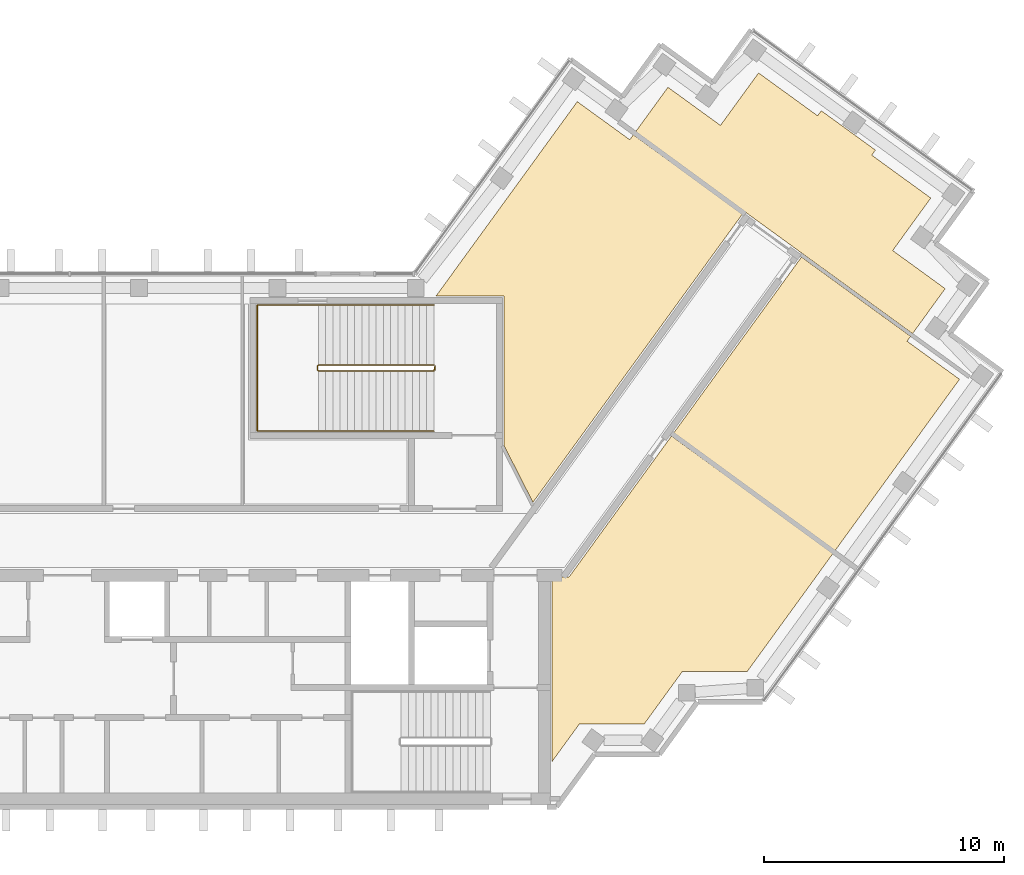
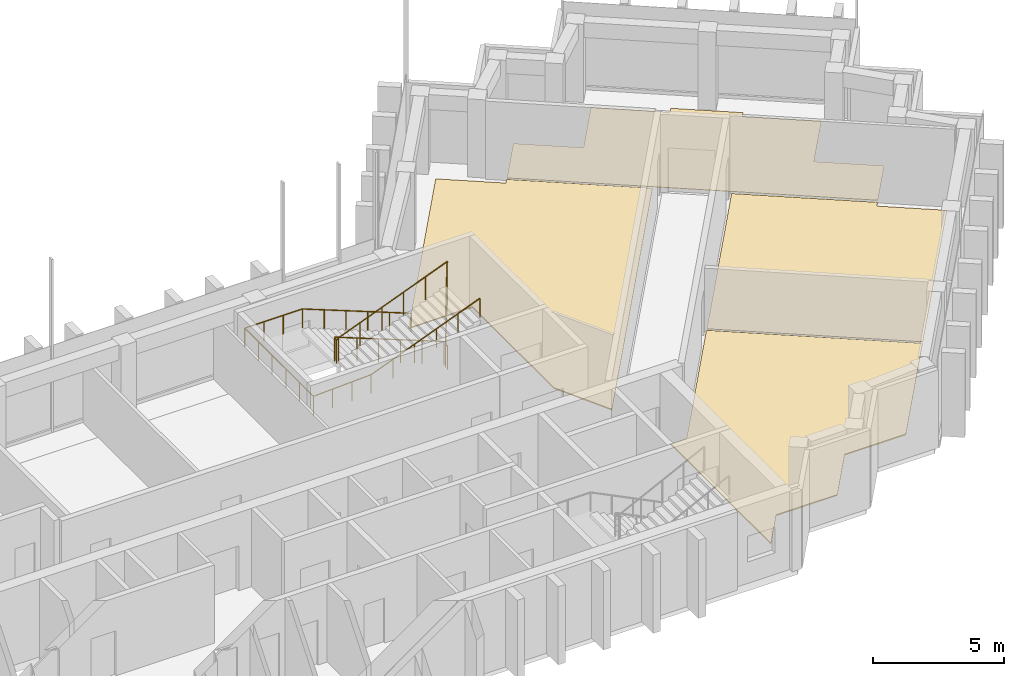
# One storey, part 14 of 14: 4 coverings, 2 railings.
"""IFC4 building model written with IfcOpenShell, lengths in metres."""

from ifc_helpers import new_model, si_unit, direction, frame, origin, origin_2d, place, context, subcontext, project, spatial, polyline, circle, outline, extrude, material, layer, layer_set, type_object, element, save


model = new_model("IFC4")

# Units and contexts
model_context = context("Model", 3, precision=1e-05, world=origin(), true_north=direction((0.0, 1.0)))
body_context = subcontext(model_context, "Body", "Model", "MODEL_VIEW")
ifc_project = project(units=[si_unit("LENGTHUNIT", "METRE"), si_unit("AREAUNIT", "SQUARE_METRE"), si_unit("VOLUMEUNIT", "CUBIC_METRE"), si_unit("PLANEANGLEUNIT", "RADIAN"), si_unit("MASSUNIT", "GRAM", prefix="KILO")], contexts=[model_context])

# Site, building, storey
site_placement = place(None, origin())
site = spatial("IfcSite", under=ifc_project, at=site_placement, CompositionType="ELEMENT")
building_placement = place(site_placement, origin())
building = spatial("IfcBuilding", under=site, at=building_placement, Name="Quipu Civic Tower", CompositionType="ELEMENT")
storey_placement = place(building_placement, frame((0.0, 0.0, 335.0)))
storey = spatial("IfcBuildingStorey", under=building, at=storey_placement, Name="L78", CompositionType="ELEMENT", Elevation=335.0)

# Coverings
ifc_material_1 = material(Name="Carpet tile on raised access floor")
ifc_layer_1 = layer(ifc_material_1, 0.02001953125)
ifc_layer_set_1 = layer_set([ifc_layer_1], Name="Carpet tile on raised access floor")
covering_type_1 = type_object("IfcCoveringType", Name="Carpet tile floor finish 20", PredefinedType="FLOORING", material=ifc_layer_set_1)
covering_1_placement = place(storey_placement, origin())
element("IfcCovering", 1, at=covering_1_placement, inside=storey, type_object=covering_type_1, Name="Carpet tile floor finish 20", PredefinedType="FLOORING", context=body_context, shape_type="SweptSolid", body=[
    extrude(outline(polyline([(23.531005859375, 16.989013671875), (24.888916015625, 18.85791015625), (27.073974609375, 17.27197265625), (28.658935546875, 19.455078125), (31.116943359375, 17.6708984375), (31.27099609375, 17.8798828125), (33.52197265625, 16.2451171875), (33.3701171875, 16.032958984375), (35.826904296875, 14.248046875), (34.240966796875, 12.06396484375), (36.425048828125, 10.47705078125), (35.068115234375, 8.60791015625), (23.531005859375, 16.989013671875)])), origin(), (0.0, 0.0, 1.0), 0.02001953125),
])
covering_2_placement = place(storey_placement, origin())
element("IfcCovering", 2, at=covering_2_placement, inside=storey, type_object=covering_type_1, Name="Carpet tile floor finish 20", PredefinedType="FLOORING", context=body_context, shape_type="SweptSolid", body=[
    extrude(outline(polyline([(25.117919921875, 4.4580078125), (30.446044921875, 11.7919921875), (34.985107421875, 8.493896484375), (34.839111328125, 8.291015625), (37.02197265625, 6.7060546875), (31.841064453125, -0.426025390625), (25.117919921875, 4.4580078125)])), origin(), (0.0, 0.0, 1.0), 0.02001953125),
])
ifc_material_2 = material(Name="Sealed cement screed")
ifc_layer_2 = layer(ifc_material_2, 0.050048828125)
ifc_layer_set_2 = layer_set([ifc_layer_2], Name="Sealed cement screed")
covering_type_2 = type_object("IfcCoveringType", Name="Sealed screed floor finish 50", PredefinedType="FLOORING", material=ifc_layer_set_2)
covering_3_placement = place(storey_placement, origin())
element("IfcCovering", 3, at=covering_3_placement, inside=storey, type_object=covering_type_2, Name="Sealed screed floor finish 50", PredefinedType="FLOORING", context=body_context, shape_type="SweptSolid", body=[
    extrude(outline(polyline([(15.238037109375, 10.169921875), (21.115966796875, 18.260986328125), (23.299072265625, 16.676025390625), (23.447998046875, 16.876953125), (27.987060546875, 13.5791015625), (19.27197265625, 1.583984375), (18.070068359375, 3.94189453125), (18.070068359375, 10.1689453125), (15.238037109375, 10.169921875)])), origin(), (0.0, 0.0, 1.0), 0.050048828125),
])
covering_4_placement = place(storey_placement, origin())
element("IfcCovering", 4, at=covering_4_placement, inside=storey, type_object=covering_type_2, Name="Sealed screed floor finish 50", PredefinedType="FLOORING", context=body_context, shape_type="SweptSolid", body=[
    extrude(outline(polyline([(20.070068359375, -9.195068359375), (20.070068359375, -1.52001953125), (20.77490234375, -1.51904296875), (25.034912109375, 4.344970703125), (31.758056640625, -0.5390625), (28.181884765625, -5.4609375), (25.48193359375, -5.4619140625), (23.89501953125, -7.64599609375), (21.196044921875, -7.64599609375), (20.070068359375, -9.195068359375)])), origin(), (0.0, 0.0, 1.0), 0.050048828125),
])

# Railings
ifc_material_3 = material(Name="Stainless steel", Category="steel")
railing_type_1 = type_object("IfcRailingType", Name="Stair guard 1100", PredefinedType="GUARDRAIL", material=ifc_material_3)
railing_1_placement = place(storey_placement, frame((15.14990234375, 7.300048828125, 0.11767578125)))
element("IfcRailing", 5, at=railing_1_placement, inside=storey, type_object=railing_type_1, Name="Stair 4 guard", PredefinedType="GUARDRAIL", context=body_context, shape_type="SweptSolid", body=[
    extrude(circle(Radius=0.02392578125, at=origin_2d()), frame((0.0, 0.0, 1.076171875), z_axis=(-0.930970042603, 0.0, 0.365095576219), x_axis=(0.0, -1.0, 0.0)), (0.0, 0.0, 1.0), 5.15576171875),
    extrude(circle(Radius=0.02392578125, at=origin_2d()), frame((-4.7998046875, 0.0, 2.95849609375), z_axis=(-0.707106781187, -0.707106781187, 0.0), x_axis=(0.707106781187, -0.707106781187, 0.0)), (0.0, 0.0, 1.0), 0.07080078125),
    extrude(circle(Radius=0.02392578125, at=origin_2d()), frame((-4.849853515625, -0.050048828125, 2.95849609375), z_axis=(0.0, -1.0, 0.0), x_axis=(1.0, 0.0, 0.0)), (0.0, 0.0, 1.0), 0.14990234375),
    extrude(circle(Radius=0.02392578125, at=origin_2d()), frame((-4.849853515625, -0.199951171875, 2.95849609375), z_axis=(0.364463019033, -0.364463019033, 0.856932561824), x_axis=(0.707106781187, 0.707106781187, 0.0)), (0.0, 0.0, 1.0), 0.13720703125),
    extrude(circle(Radius=0.02392578125, at=origin_2d()), frame((-4.7998046875, -0.25, 3.076171875), z_axis=(0.930970042603, 0.0, 0.365095576219), x_axis=(0.0, 1.0, 0.0)), (0.0, 0.0, 1.0), 5.15576171875),
    extrude(circle(Radius=0.02392578125, at=origin_2d()), frame((0.0, -0.25, 4.95849609375), z_axis=(0.012495627992, 0.049921557685, -0.998674970829), x_axis=(-0.970072785993, 0.242814311512, 0.0)), (0.0, 0.0, 1.0), 4.00537109375),
    extrude(circle(Radius=0.02392578125, at=origin_2d()), frame((0.050048828125, -0.050048828125, 0.95849609375), z_axis=(0.0, -1.0, 0.0), x_axis=(1.0, 0.0, 0.0)), (0.0, 0.0, 1.0), 0.14990234375),
    extrude(circle(Radius=0.02099609375, at=origin_2d()), origin(), (0.0, 0.0, 1.0), 1.052001953125),
    extrude(circle(Radius=0.02099609375, at=origin_2d()), frame((-0.9599609375, 0.0, 0.37646484375)), (0.0, 0.0, 1.0), 1.052001953125),
    extrude(circle(Radius=0.02099609375, at=origin_2d()), frame((-1.919921875, 0.0, 0.7529296875)), (0.0, 0.0, 1.0), 1.052001953125),
    extrude(circle(Radius=0.02099609375, at=origin_2d()), frame((-2.8798828125, 0.0, 1.12939453125)), (0.0, 0.0, 1.0), 1.052001953125),
    extrude(circle(Radius=0.02099609375, at=origin_2d()), frame((-3.83984375, 0.0, 1.505859375)), (0.0, 0.0, 1.0), 1.052001953125),
    extrude(circle(Radius=0.02099609375, at=origin_2d()), frame((-4.7998046875, 0.0, 1.88232421875)), (0.0, 0.0, 1.0), 1.052001953125),
    extrude(circle(Radius=0.02099609375, at=origin_2d()), frame((-4.849853515625, -0.050048828125, 1.88232421875)), (0.0, 0.0, 1.0), 1.052001953125),
    extrude(circle(Radius=0.02099609375, at=origin_2d()), frame((-4.849853515625, -0.199951171875, 1.88232421875)), (0.0, 0.0, 1.0), 1.052001953125),
    extrude(circle(Radius=0.02099609375, at=origin_2d()), frame((-4.7998046875, -0.25, 2.0)), (0.0, 0.0, 1.0), 1.052001953125),
    extrude(circle(Radius=0.02099609375, at=origin_2d()), frame((-3.83984375, -0.25, 2.37646484375)), (0.0, 0.0, 1.0), 1.052001953125),
    extrude(circle(Radius=0.02099609375, at=origin_2d()), frame((-2.8798828125, -0.25, 2.7529296875)), (0.0, 0.0, 1.0), 1.052001953125),
    extrude(circle(Radius=0.02099609375, at=origin_2d()), frame((-1.919921875, -0.25, 3.12939453125)), (0.0, 0.0, 1.0), 1.052001953125),
    extrude(circle(Radius=0.02099609375, at=origin_2d()), frame((-0.9599609375, -0.25, 3.505859375)), (0.0, 0.0, 1.0), 1.052001953125),
    extrude(circle(Radius=0.02099609375, at=origin_2d()), frame((0.0, -0.25, 3.88232421875)), (0.0, 0.0, 1.0), 1.052001953125),
    extrude(circle(Radius=0.02099609375, at=origin_2d()), frame((0.012451171875, -0.199951171875, 2.88232421875)), (0.0, 0.0, 1.0), 1.052001953125),
    extrude(circle(Radius=0.02099609375, at=origin_2d()), frame((0.02490234375, -0.14990234375, 1.88232421875)), (0.0, 0.0, 1.0), 1.052001953125),
    extrude(circle(Radius=0.02099609375, at=origin_2d()), frame((0.03759765625, -0.10009765625, 0.88232421875)), (0.0, 0.0, 1.0), 1.052001953125),
    extrude(circle(Radius=0.02099609375, at=origin_2d()), frame((0.050048828125, -0.050048828125, -0.11767578125)), (0.0, 0.0, 1.0), 1.052001953125),
    extrude(circle(Radius=0.02099609375, at=origin_2d()), frame((0.050048828125, -0.199951171875, -0.11767578125)), (0.0, 0.0, 1.0), 1.052001953125),
])
ifc_material_4 = material(Name="Stainless steel", Category="steel")
railing_type_2 = type_object("IfcRailingType", Name="Stair handrail", PredefinedType="HANDRAIL", material=ifc_material_4)
railing_2_placement = place(storey_placement, frame((15.14990234375, 9.800048828125, 0.11767578125)))
element("IfcRailing", 6, at=railing_2_placement, inside=storey, type_object=railing_type_2, Name="Stair 4 handrail", PredefinedType="HANDRAIL", context=body_context, shape_type="SweptSolid", body=[
    extrude(circle(Radius=0.02392578125, at=origin_2d()), frame((0.0, 0.0, 0.8759765625), z_axis=(-0.930970042603, 0.0, 0.365095576219), x_axis=(0.0, -1.0, 0.0)), (0.0, 0.0, 1.0), 5.15576171875),
    extrude(circle(Radius=0.02392578125, at=origin_2d()), frame((-4.7998046875, 0.0, 2.75830078125), z_axis=(-1.0, 0.0, 0.0), x_axis=(0.0, -1.0, 0.0)), (0.0, 0.0, 1.0), 2.550048828125),
    extrude(circle(Radius=0.02392578125, at=origin_2d()), frame((-7.349853515625, 0.0, 2.75830078125), z_axis=(0.0, -1.0, 0.0), x_axis=(1.0, 0.0, 0.0)), (0.0, 0.0, 1.0), 5.25),
    extrude(circle(Radius=0.02392578125, at=origin_2d()), frame((-7.349853515625, -5.25, 2.75830078125), z_axis=(0.998936948642, 0.0, 0.04609742549), x_axis=(0.0, 1.0, 0.0)), (0.0, 0.0, 1.0), 2.552734375),
    extrude(circle(Radius=0.02392578125, at=origin_2d()), frame((-4.7998046875, -5.25, 2.8759765625), z_axis=(0.930970042603, 0.0, 0.365095576219), x_axis=(0.0, 1.0, 0.0)), (0.0, 0.0, 1.0), 5.15576171875),
    extrude(circle(Radius=0.02099609375, at=origin_2d()), origin(), (0.0, 0.0, 1.0), 0.851806640625),
    extrude(circle(Radius=0.02099609375, at=origin_2d()), frame((-0.9599609375, 0.0, 0.37646484375)), (0.0, 0.0, 1.0), 0.851806640625),
    extrude(circle(Radius=0.02099609375, at=origin_2d()), frame((-1.919921875, 0.0, 0.7529296875)), (0.0, 0.0, 1.0), 0.851806640625),
    extrude(circle(Radius=0.02099609375, at=origin_2d()), frame((-2.8798828125, 0.0, 1.12939453125)), (0.0, 0.0, 1.0), 0.851806640625),
    extrude(circle(Radius=0.02099609375, at=origin_2d()), frame((-3.83984375, 0.0, 1.505859375)), (0.0, 0.0, 1.0), 0.851806640625),
    extrude(circle(Radius=0.02099609375, at=origin_2d()), frame((-4.7998046875, 0.0, 1.88232421875)), (0.0, 0.0, 1.0), 0.851806640625),
    extrude(circle(Radius=0.02099609375, at=origin_2d()), frame((-5.64990234375, 0.0, 1.88232421875)), (0.0, 0.0, 1.0), 0.851806640625),
    extrude(circle(Radius=0.02099609375, at=origin_2d()), frame((-6.499755859375, 0.0, 1.88232421875)), (0.0, 0.0, 1.0), 0.851806640625),
    extrude(circle(Radius=0.02099609375, at=origin_2d()), frame((-7.349853515625, 0.0, 1.88232421875)), (0.0, 0.0, 1.0), 0.851806640625),
    extrude(circle(Radius=0.02099609375, at=origin_2d()), frame((-7.349853515625, -1.050048828125, 1.88232421875)), (0.0, 0.0, 1.0), 0.851806640625),
    extrude(circle(Radius=0.02099609375, at=origin_2d()), frame((-7.349853515625, -2.10009765625, 1.88232421875)), (0.0, 0.0, 1.0), 0.851806640625),
    extrude(circle(Radius=0.02099609375, at=origin_2d()), frame((-7.349853515625, -3.14990234375, 1.88232421875)), (0.0, 0.0, 1.0), 0.851806640625),
    extrude(circle(Radius=0.02099609375, at=origin_2d()), frame((-7.349853515625, -4.199951171875, 1.88232421875)), (0.0, 0.0, 1.0), 0.851806640625),
    extrude(circle(Radius=0.02099609375, at=origin_2d()), frame((-7.349853515625, -5.25, 1.88232421875)), (0.0, 0.0, 1.0), 0.851806640625),
    extrude(circle(Radius=0.02099609375, at=origin_2d()), frame((-6.499755859375, -5.25, 1.921630859375)), (0.0, 0.0, 1.0), 0.851806640625),
    extrude(circle(Radius=0.02099609375, at=origin_2d()), frame((-5.64990234375, -5.25, 1.960693359375)), (0.0, 0.0, 1.0), 0.851806640625),
    extrude(circle(Radius=0.02099609375, at=origin_2d()), frame((-4.7998046875, -5.25, 2.0)), (0.0, 0.0, 1.0), 0.851806640625),
    extrude(circle(Radius=0.02099609375, at=origin_2d()), frame((-3.83984375, -5.25, 2.37646484375)), (0.0, 0.0, 1.0), 0.851806640625),
    extrude(circle(Radius=0.02099609375, at=origin_2d()), frame((-2.8798828125, -5.25, 2.7529296875)), (0.0, 0.0, 1.0), 0.851806640625),
    extrude(circle(Radius=0.02099609375, at=origin_2d()), frame((-1.919921875, -5.25, 3.12939453125)), (0.0, 0.0, 1.0), 0.851806640625),
    extrude(circle(Radius=0.02099609375, at=origin_2d()), frame((-0.9599609375, -5.25, 3.505859375)), (0.0, 0.0, 1.0), 0.851806640625),
    extrude(circle(Radius=0.02099609375, at=origin_2d()), frame((0.0, -5.25, 3.88232421875)), (0.0, 0.0, 1.0), 0.851806640625),
])

save(model, "model.ifc")
